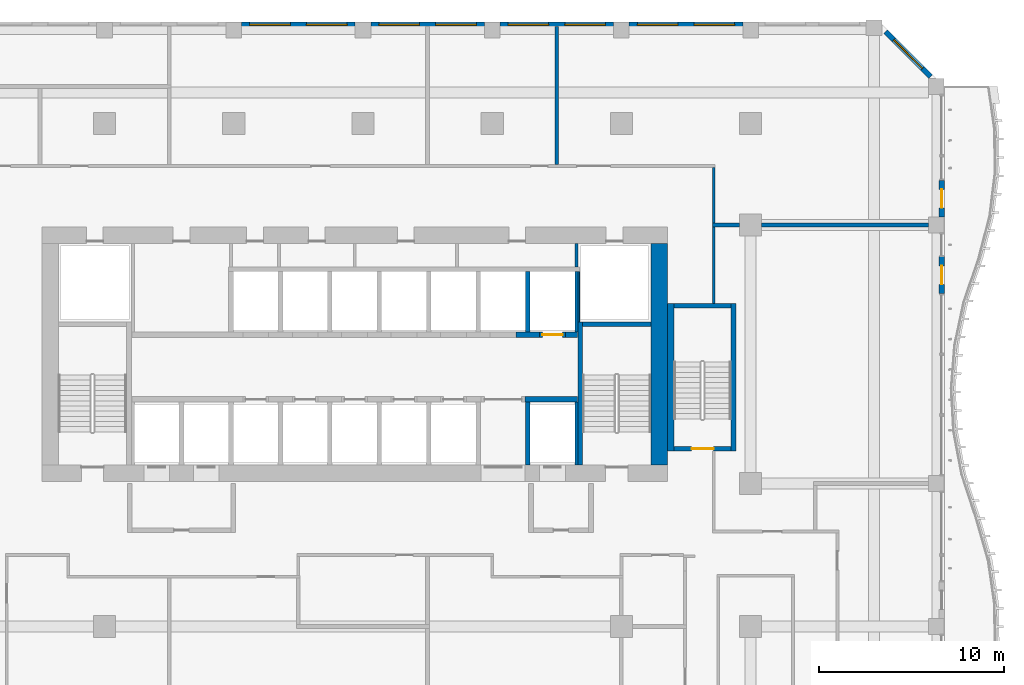
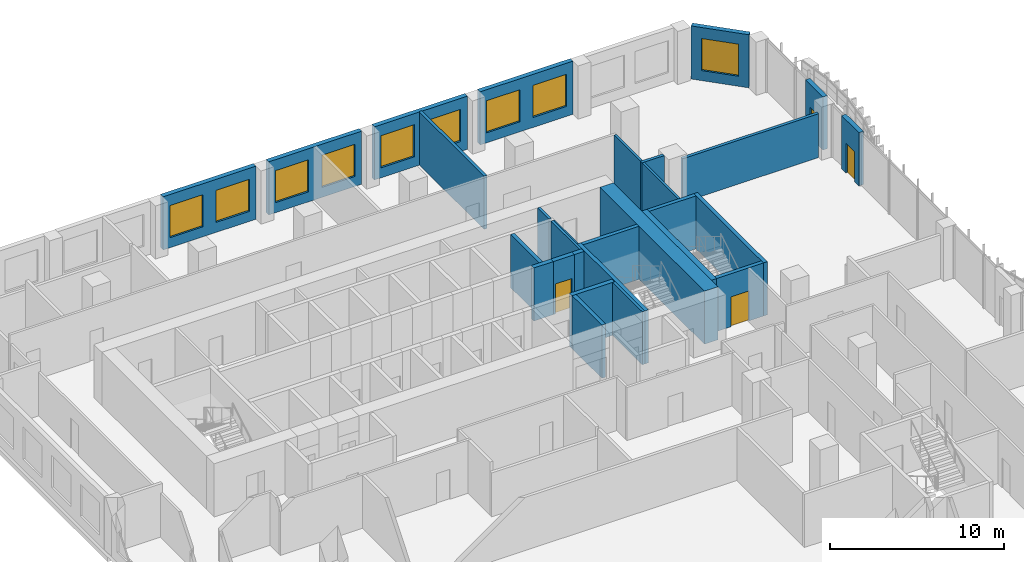
# One storey, part 17 of 27: 29 walls, 9 windows, 4 doors, 13 openings.
"""IFC4 building model written with IfcOpenShell, lengths in metres."""

from ifc_helpers import new_model, si_unit, direction, frame, frame_2d, origin, place, context, subcontext, project, spatial, rectangle, extrude, source, transform, mapped, material, layer, layer_set, type_object, element, fill, save


model = new_model("IFC4")

# Units and contexts
model_context = context("Model", 3, precision=1e-05, world=origin(), true_north=direction((0.0, 1.0)))
body_context = subcontext(model_context, "Body", "Model", "MODEL_VIEW")
ifc_project = project(units=[si_unit("LENGTHUNIT", "METRE"), si_unit("AREAUNIT", "SQUARE_METRE"), si_unit("VOLUMEUNIT", "CUBIC_METRE"), si_unit("PLANEANGLEUNIT", "RADIAN"), si_unit("MASSUNIT", "GRAM", prefix="KILO")], contexts=[model_context])

# Site, building, storey
site_placement = place(None, origin())
site = spatial("IfcSite", under=ifc_project, at=site_placement, CompositionType="ELEMENT")
building_placement = place(site_placement, origin())
building = spatial("IfcBuilding", under=site, at=building_placement, Name="Kilnfold Tower and Market Hall", CompositionType="ELEMENT")
storey_placement = place(building_placement, frame((0.0, 0.0, 116.60009765625)))
storey = spatial("IfcBuildingStorey", under=building, at=storey_placement, Name="L27", CompositionType="ELEMENT", Elevation=116.60009765625)

# Walls
ifc_material_1 = material(Name="Gypsum board on steel studs", Category="steel")
ifc_layer_1 = layer(ifc_material_1, 0.14990234375)
ifc_layer_set_1 = layer_set([ifc_layer_1], Name="Gypsum board on steel studs")
wall_type_1 = type_object("IfcWallType", Name="WALL CORRIDOR 150", PredefinedType="PARTITIONING", material=ifc_layer_set_1)
wall_1_placement = place(storey_placement, frame((20.5, 17.75, 0.0), z_axis=(0.0, 0.0, 1.0), x_axis=(0.0, 1.0, 0.0)))
element("IfcWall", 1, at=wall_1_placement, inside=storey, type_object=wall_type_1, Name="Partition LY17.31", PredefinedType="PARTITIONING", context=body_context, shape_type="SweptSolid", body=[
    extrude(rectangle(XDim=4.159912109375, YDim=0.14990234375, at=frame_2d((2.080078125, 0.0))), origin(), (0.0, 0.0, 1.0), 3.719970703125),
])
wall_2_placement = place(storey_placement, frame((20.5, 22.090087890625, 0.0), z_axis=(0.0, 0.0, 1.0), x_axis=(0.0, 1.0, 0.0)))
element("IfcWall", 2, at=wall_2_placement, inside=storey, type_object=wall_type_1, Name="Partition LY17.34", PredefinedType="PARTITIONING", context=body_context, shape_type="SweptSolid", body=[
    extrude(rectangle(XDim=3.034912109375, YDim=0.14990234375, at=frame_2d((1.517578125, 0.0))), origin(), (0.0, 0.0, 1.0), 3.719970703125),
])
ifc_material_2 = material(Name="Gypsum board on steel studs", Category="steel")
ifc_layer_2 = layer(ifc_material_2, 0.199951171875)
ifc_layer_set_2 = layer_set([ifc_layer_2], Name="Gypsum board on steel studs")
wall_type_2 = type_object("IfcWallType", Name="WALL PARTY 200", PredefinedType="PARTITIONING", material=ifc_layer_set_2)
wall_3_placement = place(storey_placement, frame((20.426025390625, 22.0, 0.0), z_axis=(0.0, 0.0, 1.0), x_axis=(1.0, 0.0, 0.0)))
element("IfcWall", 3, at=wall_3_placement, inside=storey, type_object=wall_type_2, Name="Partition LY17.66", PredefinedType="PARTITIONING", context=body_context, shape_type="SweptSolid", body=[
    extrude(rectangle(XDim=1.473876953125, YDim=0.199951171875, at=frame_2d((0.73681640625, 0.0))), origin(), (0.0, 0.0, 1.0), 3.719970703125),
])
wall_4_placement = place(storey_placement, frame((23.10009765625, 22.0, 0.0), z_axis=(0.0, 0.0, 1.0), x_axis=(1.0, 0.0, 0.0)))
element("IfcWall", 4, at=wall_4_placement, inside=storey, type_object=wall_type_2, Name="Partition LY17.67", PredefinedType="PARTITIONING", context=body_context, shape_type="SweptSolid", body=[
    extrude(rectangle(XDim=9.02490234375, YDim=0.199951171875, at=frame_2d((4.512451171875, 0.0))), origin(), (0.0, 0.0, 1.0), 3.06982421875),
])
wall_5_placement = place(storey_placement, frame((12.0, 25.27587890625, 0.0), z_axis=(0.0, 0.0, 1.0), x_axis=(0.0, 1.0, 0.0)))
element("IfcWall", 5, at=wall_5_placement, inside=storey, type_object=wall_type_2, Name="Partition LY17.68", PredefinedType="PARTITIONING", context=body_context, shape_type="SweptSolid", body=[
    extrude(rectangle(XDim=7.47412109375, YDim=0.199951171875, at=frame_2d((3.737060546875, 0.0))), origin(), (0.0, 0.0, 1.0), 3.719970703125),
])
ifc_material_3 = material(Name="Concrete C70", Category="concrete")
ifc_layer_3 = layer(ifc_material_3, 0.25)
ifc_layer_set_3 = layer_set([ifc_layer_3], Name="Concrete C70")
wall_type_3 = type_object("IfcWallType", Name="CORE WALL 250 C70", PredefinedType="SHEAR", material=ifc_layer_set_3)
shared_shape_1 = source(origin(), body_context, "Body", "SweptSolid", [
    extrude(rectangle(XDim=7.75, YDim=0.25, at=frame_2d((3.875, 0.0))), origin(), (0.0, 0.0, 1.0), 3.719970703125),
])
wall_6_placement = place(storey_placement, frame((13.27490234375, 9.0, 0.0), z_axis=(0.0, 0.0, 1.0), x_axis=(0.0, 1.0, 0.0)))
element("IfcWall", 6, at=wall_6_placement, inside=storey, type_object=wall_type_3, Name="Stair enclosure ST2", PredefinedType="SHEAR", context=body_context, shape_type="MappedRepresentation", body=[
    mapped(shared_shape_1, transform((0.0, 0.0, 0.0))),
])
shared_shape_2 = source(origin(), body_context, "Body", "SweptSolid", [
    extrude(rectangle(XDim=3.7001953125, YDim=0.25, at=frame_2d((1.85009765625, 0.0))), origin(), (0.0, 0.0, 1.0), 3.719970703125),
])
wall_7_placement = place(storey_placement, frame((13.39990234375, 16.625, 0.0), z_axis=(0.0, 0.0, 1.0), x_axis=(1.0, 0.0, 0.0)))
element("IfcWall", 7, at=wall_7_placement, inside=storey, type_object=wall_type_3, Name="Stair enclosure ST2", PredefinedType="SHEAR", context=body_context, shape_type="MappedRepresentation", body=[
    mapped(shared_shape_2, transform((0.0, 0.0, 0.0))),
])
shared_shape_3 = source(origin(), body_context, "Body", "SweptSolid", [
    extrude(rectangle(XDim=8.0, YDim=0.25, at=frame_2d((4.0, 0.0))), origin(), (0.0, 0.0, 1.0), 3.719970703125),
])
wall_8_placement = place(storey_placement, frame((21.574951171875, 9.75, 0.0), z_axis=(0.0, 0.0, 1.0), x_axis=(0.0, 1.0, 0.0)))
element("IfcWall", 8, at=wall_8_placement, inside=storey, type_object=wall_type_3, Name="Stair enclosure ST5", PredefinedType="SHEAR", context=body_context, shape_type="MappedRepresentation", body=[
    mapped(shared_shape_3, transform((0.0, 0.0, 0.0))),
])

# Wall, opening, door
shared_shape_4 = source(origin(), body_context, "Body", "SweptSolid", [
    extrude(rectangle(XDim=3.099853515625, YDim=0.25, at=frame_2d((1.5498046875, 0.0))), origin(), (0.0, 0.0, 1.0), 3.719970703125),
])
wall_9_placement = place(storey_placement, frame((18.35009765625, 9.875, 0.0), z_axis=(0.0, 0.0, 1.0), x_axis=(1.0, 0.0, 0.0)))
wall_9 = element("IfcWall", 9, at=wall_9_placement, inside=storey, type_object=wall_type_3, Name="Stair enclosure ST5", PredefinedType="SHEAR", context=body_context, shape_type="MappedRepresentation", body=[
    mapped(shared_shape_4, transform((0.0, 0.0, 0.0))),
])
opening_1_placement = place(wall_9_placement, frame((0.949951171875, 0.0, 0.0)))
opening_1 = element("IfcOpeningElement", 10, at=opening_1_placement, cuts=wall_9, Name="Opening SD1", PredefinedType="OPENING", context=body_context, shape_type="SweptSolid", body=[
    extrude(rectangle(XDim=1.199951171875, YDim=2.10009765625, at=frame_2d((0.60009765625, 1.050048828125))), frame((0.0, 0.135009765625, 0.0), z_axis=(0.0, -1.0, 0.0), x_axis=(1.0, 0.0, 0.0)), (0.0, 0.0, 1.0), 0.27001953125),
])
ifc_material_4 = material(Name="Steel door set with fire-resisting leaf", Category="steel")
door_type_1 = type_object("IfcDoorType", Name="STAIR FLOOR DOOR 1200X2100", OperationType="NOTDEFINED", PredefinedType="DOOR", material=ifc_material_4)
door_1_placement = place(opening_1_placement, origin())
door_1 = element("IfcDoor", 11, at=door_1_placement, inside=storey, type_object=door_type_1, Name="Exit stair ST5 door", OperationType="DOUBLE_DOOR_SINGLE_SWING", OverallHeight=2.10009765625, OverallWidth=1.199951171875, PredefinedType="DOOR", context=body_context, shape_type="SweptSolid", body=[
    extrude(rectangle(XDim=1.199951171875, YDim=2.10009765625, at=frame_2d((0.60009765625, 1.050048828125))), frame((0.0, 0.02490234375, 0.0), z_axis=(0.0, -1.0, 0.0), x_axis=(1.0, 0.0, 0.0)), (0.0, 0.0, 1.0), 0.050048828125),
])
fill(opening_1, door_1)

# Walls
wall_10_placement = place(storey_placement, frame((18.35009765625, 17.625, 0.0), z_axis=(0.0, 0.0, 1.0), x_axis=(1.0, 0.0, 0.0)))
element("IfcWall", 12, at=wall_10_placement, inside=storey, type_object=wall_type_3, Name="Stair enclosure ST5", PredefinedType="SHEAR", context=body_context, shape_type="MappedRepresentation", body=[
    mapped(shared_shape_4, transform((0.0, 0.0, 0.0))),
])
ifc_material_5 = material(Name="Concrete C70", Category="concrete")
ifc_layer_4 = layer(ifc_material_5, 0.300048828125)
ifc_layer_set_4 = layer_set([ifc_layer_4], Name="Concrete C70")
wall_type_4 = type_object("IfcWallType", Name="CORE WALL 300 C70", PredefinedType="SHEAR", material=ifc_layer_set_4)
shared_shape_5 = source(origin(), body_context, "Body", "SweptSolid", [
    extrude(rectangle(XDim=1.280029296875, YDim=0.300048828125, at=frame_2d((0.64013671875, 0.0))), origin(), (0.0, 0.0, 1.0), 3.719970703125),
])
wall_11_placement = place(storey_placement, frame((9.7900390625, 16.050048828125, 0.0), z_axis=(0.0, 0.0, 1.0), x_axis=(1.0, 0.0, 0.0)))
element("IfcWall", 13, at=wall_11_placement, inside=storey, type_object=wall_type_4, Name="Core spine wall", PredefinedType="SHEAR", context=body_context, shape_type="MappedRepresentation", body=[
    mapped(shared_shape_5, transform((0.0, 0.0, 0.0))),
])
shared_shape_6 = source(origin(), body_context, "Body", "SweptSolid", [
    extrude(rectangle(XDim=2.820068359375, YDim=0.300048828125, at=frame_2d((1.41015625, 0.0))), origin(), (0.0, 0.0, 1.0), 3.719970703125),
])
wall_12_placement = place(storey_placement, frame((10.2900390625, 12.550048828125, 0.0), z_axis=(0.0, 0.0, 1.0), x_axis=(1.0, 0.0, 0.0)))
element("IfcWall", 14, at=wall_12_placement, inside=storey, type_object=wall_type_4, Name="Core spine wall", PredefinedType="SHEAR", context=body_context, shape_type="MappedRepresentation", body=[
    mapped(shared_shape_6, transform((0.0, 0.0, 0.0))),
])
shared_shape_7 = source(origin(), body_context, "Body", "SweptSolid", [
    extrude(rectangle(XDim=0.64013671875, YDim=0.300048828125, at=frame_2d((0.320068359375, 0.0))), origin(), (0.0, 0.0, 1.0), 3.719970703125),
])
wall_13_placement = place(storey_placement, frame((12.469970703125, 16.050048828125, 0.0), z_axis=(0.0, 0.0, 1.0), x_axis=(1.0, 0.0, 0.0)))
element("IfcWall", 15, at=wall_13_placement, inside=storey, type_object=wall_type_4, Name="Core spine wall", PredefinedType="SHEAR", context=body_context, shape_type="MappedRepresentation", body=[
    mapped(shared_shape_7, transform((0.0, 0.0, 0.0))),
])
ifc_material_6 = material(Name="Concrete C70", Category="concrete")
ifc_layer_5 = layer(ifc_material_6, 0.89990234375)
ifc_layer_set_5 = layer_set([ifc_layer_5], Name="Concrete C70")
wall_type_5 = type_object("IfcWallType", Name="CORE WALL 900 C70", PredefinedType="SHEAR", material=ifc_layer_set_5)
shared_shape_8 = source(origin(), body_context, "Body", "SweptSolid", [
    extrude(rectangle(XDim=12.0, YDim=0.89990234375, at=frame_2d((6.0, 0.0))), origin(), (0.0, 0.0, 1.0), 3.719970703125),
])
wall_14_placement = place(storey_placement, frame((17.550048828125, 9.0, 0.0), z_axis=(0.0, 0.0, 1.0), x_axis=(0.0, 1.0, 0.0)))
element("IfcWall", 16, at=wall_14_placement, inside=storey, type_object=wall_type_5, Name="Core outer wall east", PredefinedType="SHEAR", context=body_context, shape_type="MappedRepresentation", body=[
    mapped(shared_shape_8, transform((0.0, 0.0, 0.0))),
])
ifc_material_7 = material(Name="Concrete C70", Category="concrete")
ifc_layer_6 = layer(ifc_material_7, 0.35009765625)
ifc_layer_set_6 = layer_set([ifc_layer_6], Name="Concrete C70")
wall_type_6 = type_object("IfcWallType", Name="CORE WALL 350 C70", PredefinedType="SHEAR", material=ifc_layer_set_6)
shared_shape_9 = source(origin(), body_context, "Body", "SweptSolid", [
    extrude(rectangle(XDim=8.0, YDim=0.35009765625, at=frame_2d((4.0, 0.0))), origin(), (0.0, 0.0, 1.0), 3.719970703125),
])
wall_15_placement = place(storey_placement, frame((18.175048828125, 9.75, 0.0), z_axis=(0.0, 0.0, 1.0), x_axis=(0.0, 1.0, 0.0)))
element("IfcWall", 17, at=wall_15_placement, inside=storey, type_object=wall_type_6, Name="Stair enclosure ST5", PredefinedType="SHEAR", context=body_context, shape_type="MappedRepresentation", body=[
    mapped(shared_shape_9, transform((0.0, 0.0, 0.0))),
])

# Wall, opening, door
ifc_material_8 = material(Name="Precast concrete C50/60", Category="concrete")
ifc_layer_7 = layer(ifc_material_8, 0.300048828125)
ifc_layer_set_7 = layer_set([ifc_layer_7], Name="Precast concrete C50/60")
wall_type_7 = type_object("IfcWallType", Name="PRECAST WALL 300", PredefinedType="SOLIDWALL", material=ifc_layer_set_7)
shared_shape_10 = source(origin(), body_context, "Body", "SweptSolid", [
    extrude(rectangle(XDim=2.0, YDim=0.300048828125, at=frame_2d((1.0, 0.0))), origin(), (0.0, 0.0, 1.0), 3.719970703125),
])
wall_16_placement = place(storey_placement, frame((32.85009765625, 18.28759765625, 0.0), z_axis=(0.0, 0.0, 1.0), x_axis=(0.0, 1.0, 0.0)))
wall_16 = element("IfcWall", 18, at=wall_16_placement, inside=storey, type_object=wall_type_7, Name="External wall L27 E", PredefinedType="SOLIDWALL", context=body_context, shape_type="MappedRepresentation", body=[
    mapped(shared_shape_10, transform((0.0, 0.0, 0.0))),
])
opening_2_placement = place(wall_16_placement, frame((0.5, 0.0, 0.0)))
opening_2 = element("IfcOpeningElement", 19, at=opening_2_placement, cuts=wall_16, Name="Opening BD1", PredefinedType="OPENING", context=body_context, shape_type="SweptSolid", body=[
    extrude(rectangle(XDim=1.0, YDim=2.10009765625, at=frame_2d((0.5, 1.050048828125))), frame((0.0, 0.16015625, 0.0), z_axis=(0.0, -1.0, 0.0), x_axis=(1.0, 0.0, 0.0)), (0.0, 0.0, 1.0), 0.320068359375),
])
ifc_material_9 = material(Name="Aluminium frame and double glazing", Category="aluminium")
door_type_2 = type_object("IfcDoorType", Name="BALCONY DOOR 1000X2100", OperationType="NOTDEFINED", PredefinedType="DOOR", material=ifc_material_9)
door_2_placement = place(opening_2_placement, origin())
door_2 = element("IfcDoor", 20, at=door_2_placement, inside=storey, type_object=door_type_2, Name="Balcony door BD1 L27 E-4", OperationType="SINGLE_SWING_RIGHT", OverallHeight=2.10009765625, OverallWidth=1.0, PredefinedType="DOOR", context=body_context, shape_type="SweptSolid", body=[
    extrude(rectangle(XDim=1.0, YDim=2.10009765625, at=frame_2d((0.5, 1.050048828125))), frame((0.0, 0.02490234375, 0.0), z_axis=(0.0, -1.0, 0.0), x_axis=(1.0, 0.0, 0.0)), (0.0, 0.0, 1.0), 0.050048828125),
])
fill(opening_2, door_2)

wall_17_placement = place(storey_placement, frame((32.85009765625, 22.425048828125, 0.0), z_axis=(0.0, 0.0, 1.0), x_axis=(0.0, 1.0, 0.0)))
wall_17 = element("IfcWall", 21, at=wall_17_placement, inside=storey, type_object=wall_type_7, Name="External wall L27 E", PredefinedType="SOLIDWALL", context=body_context, shape_type="MappedRepresentation", body=[
    mapped(shared_shape_10, transform((0.0, 0.0, 0.0))),
])
opening_3_placement = place(wall_17_placement, frame((0.5, 0.0, 0.0)))
opening_3 = element("IfcOpeningElement", 22, at=opening_3_placement, cuts=wall_17, Name="Opening BD1", PredefinedType="OPENING", context=body_context, shape_type="SweptSolid", body=[
    extrude(rectangle(XDim=1.0, YDim=2.10009765625, at=frame_2d((0.5, 1.050048828125))), frame((0.0, 0.16015625, 0.0), z_axis=(0.0, -1.0, 0.0), x_axis=(1.0, 0.0, 0.0)), (0.0, 0.0, 1.0), 0.320068359375),
])
door_3_placement = place(opening_3_placement, origin())
door_3 = element("IfcDoor", 23, at=door_3_placement, inside=storey, type_object=door_type_2, Name="Balcony door BD1 L27 E-1", OperationType="SINGLE_SWING_LEFT", OverallHeight=2.10009765625, OverallWidth=1.0, PredefinedType="DOOR", context=body_context, shape_type="SweptSolid", body=[
    extrude(rectangle(XDim=1.0, YDim=2.10009765625, at=frame_2d((0.5, 1.050048828125))), frame((0.0, 0.02490234375, 0.0), z_axis=(0.0, -1.0, 0.0), x_axis=(1.0, 0.0, 0.0)), (0.0, 0.0, 1.0), 0.050048828125),
])
fill(opening_3, door_3)

# Wall, opening, window
shared_shape_11 = source(origin(), body_context, "Body", "SweptSolid", [
    extrude(rectangle(XDim=3.429443359375, YDim=0.300048828125, at=frame_2d((1.71484375, 0.0))), origin(), (0.0, 0.0, 1.0), 3.719970703125),
])
wall_18_placement = place(storey_placement, frame((32.243896484375, 30.0439453125, 0.0), z_axis=(0.0, 0.0, 1.0), x_axis=(-0.707106781187, 0.707106781187, 0.0)))
wall_18 = element("IfcWall", 24, at=wall_18_placement, inside=storey, type_object=wall_type_7, Name="External wall L27 NE", PredefinedType="SOLIDWALL", context=body_context, shape_type="MappedRepresentation", body=[
    mapped(shared_shape_11, transform((0.0, 0.0, 0.0))),
])
opening_4_placement = place(wall_18_placement, frame((0.61474609375, 0.0, 0.699951171875)))
opening_4 = element("IfcOpeningElement", 25, at=opening_4_placement, cuts=wall_18, Name="Opening W1", PredefinedType="OPENING", context=body_context, shape_type="SweptSolid", body=[
    extrude(rectangle(XDim=2.199951171875, YDim=2.25, at=frame_2d((1.10009765625, 1.125))), frame((0.0, 0.16015625, 0.0), z_axis=(0.0, -1.0, 0.0), x_axis=(1.0, 0.0, 0.0)), (0.0, 0.0, 1.0), 0.320068359375),
])
ifc_material_10 = material(Name="Aluminium frame and double glazing", Category="aluminium")
window_type = type_object("IfcWindowType", Name="WINDOW W1 2200X2250", PartitioningType="SINGLE_PANEL", PredefinedType="WINDOW", material=ifc_material_10)
window_1_placement = place(opening_4_placement, origin())
window_1 = element("IfcWindow", 26, at=window_1_placement, inside=storey, type_object=window_type, Name="Window W1 L27 NE-1", OverallHeight=2.25, OverallWidth=2.199951171875, PartitioningType="SINGLE_PANEL", PredefinedType="WINDOW", context=body_context, shape_type="SweptSolid", body=[
    extrude(rectangle(XDim=2.199951171875, YDim=2.25, at=frame_2d((1.10009765625, 1.125))), frame((0.0, 0.030029296875, 0.0), z_axis=(0.0, -1.0, 0.0), x_axis=(1.0, 0.0, 0.0)), (0.0, 0.0, 1.0), 0.06005859375),
])
fill(opening_4, window_1)

# Wall, openings, windows
shared_shape_12 = source(origin(), body_context, "Body", "SweptSolid", [
    extrude(rectangle(XDim=6.14990234375, YDim=0.300048828125, at=frame_2d((3.074951171875, 0.0))), origin(), (0.0, 0.0, 1.0), 3.719970703125),
])
wall_19_placement = place(storey_placement, frame((22.074951171875, 32.85009765625, 0.0), z_axis=(0.0, 0.0, 1.0), x_axis=(-1.0, 0.0, 0.0)))
wall_19 = element("IfcWall", 27, at=wall_19_placement, inside=storey, type_object=wall_type_7, Name="External wall L27 N", PredefinedType="SOLIDWALL", context=body_context, shape_type="MappedRepresentation", body=[
    mapped(shared_shape_12, transform((0.0, 0.0, 0.0))),
])
opening_5_placement = place(wall_19_placement, frame((0.4375, 0.0, 0.699951171875)))
opening_5 = element("IfcOpeningElement", 28, at=opening_5_placement, cuts=wall_19, Name="Opening W1", PredefinedType="OPENING", context=body_context, shape_type="SweptSolid", body=[
    extrude(rectangle(XDim=2.199951171875, YDim=2.25, at=frame_2d((1.10009765625, 1.125))), frame((0.0, 0.16015625, 0.0), z_axis=(0.0, -1.0, 0.0), x_axis=(1.0, 0.0, 0.0)), (0.0, 0.0, 1.0), 0.320068359375),
])
opening_6_placement = place(wall_19_placement, frame((3.512451171875, 0.0, 0.699951171875)))
opening_6 = element("IfcOpeningElement", 29, at=opening_6_placement, cuts=wall_19, Name="Opening W1", PredefinedType="OPENING", context=body_context, shape_type="SweptSolid", body=[
    extrude(rectangle(XDim=2.199951171875, YDim=2.25, at=frame_2d((1.10009765625, 1.125))), frame((0.0, 0.16015625, 0.0), z_axis=(0.0, -1.0, 0.0), x_axis=(1.0, 0.0, 0.0)), (0.0, 0.0, 1.0), 0.320068359375),
])
window_2_placement = place(opening_5_placement, origin())
window_2 = element("IfcWindow", 30, at=window_2_placement, inside=storey, type_object=window_type, Name="Window W1 L27 N-1", OverallHeight=2.25, OverallWidth=2.199951171875, PartitioningType="SINGLE_PANEL", PredefinedType="WINDOW", context=body_context, shape_type="SweptSolid", body=[
    extrude(rectangle(XDim=2.199951171875, YDim=2.25, at=frame_2d((1.10009765625, 1.125))), frame((0.0, 0.030029296875, 0.0), z_axis=(0.0, -1.0, 0.0), x_axis=(1.0, 0.0, 0.0)), (0.0, 0.0, 1.0), 0.06005859375),
])
fill(opening_5, window_2)
window_3_placement = place(opening_6_placement, origin())
window_3 = element("IfcWindow", 31, at=window_3_placement, inside=storey, type_object=window_type, Name="Window W1 L27 N-2", OverallHeight=2.25, OverallWidth=2.199951171875, PartitioningType="SINGLE_PANEL", PredefinedType="WINDOW", context=body_context, shape_type="SweptSolid", body=[
    extrude(rectangle(XDim=2.199951171875, YDim=2.25, at=frame_2d((1.10009765625, 1.125))), frame((0.0, 0.030029296875, 0.0), z_axis=(0.0, -1.0, 0.0), x_axis=(1.0, 0.0, 0.0)), (0.0, 0.0, 1.0), 0.06005859375),
])
fill(opening_6, window_3)

wall_20_placement = place(storey_placement, frame((15.074951171875, 32.85009765625, 0.0), z_axis=(0.0, 0.0, 1.0), x_axis=(-1.0, 0.0, 0.0)))
wall_20 = element("IfcWall", 32, at=wall_20_placement, inside=storey, type_object=wall_type_7, Name="External wall L27 N", PredefinedType="SOLIDWALL", context=body_context, shape_type="MappedRepresentation", body=[
    mapped(shared_shape_12, transform((0.0, 0.0, 0.0))),
])
opening_7_placement = place(wall_20_placement, frame((0.4375, 0.0, 0.699951171875)))
opening_7 = element("IfcOpeningElement", 33, at=opening_7_placement, cuts=wall_20, Name="Opening W1", PredefinedType="OPENING", context=body_context, shape_type="SweptSolid", body=[
    extrude(rectangle(XDim=2.199951171875, YDim=2.25, at=frame_2d((1.10009765625, 1.125))), frame((0.0, 0.16015625, 0.0), z_axis=(0.0, -1.0, 0.0), x_axis=(1.0, 0.0, 0.0)), (0.0, 0.0, 1.0), 0.320068359375),
])
opening_8_placement = place(wall_20_placement, frame((3.512451171875, 0.0, 0.699951171875)))
opening_8 = element("IfcOpeningElement", 34, at=opening_8_placement, cuts=wall_20, Name="Opening W1", PredefinedType="OPENING", context=body_context, shape_type="SweptSolid", body=[
    extrude(rectangle(XDim=2.199951171875, YDim=2.25, at=frame_2d((1.10009765625, 1.125))), frame((0.0, 0.16015625, 0.0), z_axis=(0.0, -1.0, 0.0), x_axis=(1.0, 0.0, 0.0)), (0.0, 0.0, 1.0), 0.320068359375),
])
window_4_placement = place(opening_7_placement, origin())
window_4 = element("IfcWindow", 35, at=window_4_placement, inside=storey, type_object=window_type, Name="Window W1 L27 N-1", OverallHeight=2.25, OverallWidth=2.199951171875, PartitioningType="SINGLE_PANEL", PredefinedType="WINDOW", context=body_context, shape_type="SweptSolid", body=[
    extrude(rectangle(XDim=2.199951171875, YDim=2.25, at=frame_2d((1.10009765625, 1.125))), frame((0.0, 0.030029296875, 0.0), z_axis=(0.0, -1.0, 0.0), x_axis=(1.0, 0.0, 0.0)), (0.0, 0.0, 1.0), 0.06005859375),
])
fill(opening_7, window_4)
window_5_placement = place(opening_8_placement, origin())
window_5 = element("IfcWindow", 36, at=window_5_placement, inside=storey, type_object=window_type, Name="Window W1 L27 N-2", OverallHeight=2.25, OverallWidth=2.199951171875, PartitioningType="SINGLE_PANEL", PredefinedType="WINDOW", context=body_context, shape_type="SweptSolid", body=[
    extrude(rectangle(XDim=2.199951171875, YDim=2.25, at=frame_2d((1.10009765625, 1.125))), frame((0.0, 0.030029296875, 0.0), z_axis=(0.0, -1.0, 0.0), x_axis=(1.0, 0.0, 0.0)), (0.0, 0.0, 1.0), 0.06005859375),
])
fill(opening_8, window_5)

wall_21_placement = place(storey_placement, frame((8.074951171875, 32.85009765625, 0.0), z_axis=(0.0, 0.0, 1.0), x_axis=(-1.0, 0.0, 0.0)))
wall_21 = element("IfcWall", 37, at=wall_21_placement, inside=storey, type_object=wall_type_7, Name="External wall L27 N", PredefinedType="SOLIDWALL", context=body_context, shape_type="MappedRepresentation", body=[
    mapped(shared_shape_12, transform((0.0, 0.0, 0.0))),
])
opening_9_placement = place(wall_21_placement, frame((0.4375, 0.0, 0.699951171875)))
opening_9 = element("IfcOpeningElement", 38, at=opening_9_placement, cuts=wall_21, Name="Opening W1", PredefinedType="OPENING", context=body_context, shape_type="SweptSolid", body=[
    extrude(rectangle(XDim=2.199951171875, YDim=2.25, at=frame_2d((1.10009765625, 1.125))), frame((0.0, 0.16015625, 0.0), z_axis=(0.0, -1.0, 0.0), x_axis=(1.0, 0.0, 0.0)), (0.0, 0.0, 1.0), 0.320068359375),
])
opening_10_placement = place(wall_21_placement, frame((3.512451171875, 0.0, 0.699951171875)))
opening_10 = element("IfcOpeningElement", 39, at=opening_10_placement, cuts=wall_21, Name="Opening W1", PredefinedType="OPENING", context=body_context, shape_type="SweptSolid", body=[
    extrude(rectangle(XDim=2.199951171875, YDim=2.25, at=frame_2d((1.10009765625, 1.125))), frame((0.0, 0.16015625, 0.0), z_axis=(0.0, -1.0, 0.0), x_axis=(1.0, 0.0, 0.0)), (0.0, 0.0, 1.0), 0.320068359375),
])
window_6_placement = place(opening_9_placement, origin())
window_6 = element("IfcWindow", 40, at=window_6_placement, inside=storey, type_object=window_type, Name="Window W1 L27 N-1", OverallHeight=2.25, OverallWidth=2.199951171875, PartitioningType="SINGLE_PANEL", PredefinedType="WINDOW", context=body_context, shape_type="SweptSolid", body=[
    extrude(rectangle(XDim=2.199951171875, YDim=2.25, at=frame_2d((1.10009765625, 1.125))), frame((0.0, 0.030029296875, 0.0), z_axis=(0.0, -1.0, 0.0), x_axis=(1.0, 0.0, 0.0)), (0.0, 0.0, 1.0), 0.06005859375),
])
fill(opening_9, window_6)
window_7_placement = place(opening_10_placement, origin())
window_7 = element("IfcWindow", 41, at=window_7_placement, inside=storey, type_object=window_type, Name="Window W1 L27 N-2", OverallHeight=2.25, OverallWidth=2.199951171875, PartitioningType="SINGLE_PANEL", PredefinedType="WINDOW", context=body_context, shape_type="SweptSolid", body=[
    extrude(rectangle(XDim=2.199951171875, YDim=2.25, at=frame_2d((1.10009765625, 1.125))), frame((0.0, 0.030029296875, 0.0), z_axis=(0.0, -1.0, 0.0), x_axis=(1.0, 0.0, 0.0)), (0.0, 0.0, 1.0), 0.06005859375),
])
fill(opening_10, window_7)

wall_22_placement = place(storey_placement, frame((1.074951171875, 32.85009765625, 0.0), z_axis=(0.0, 0.0, 1.0), x_axis=(-1.0, 0.0, 0.0)))
wall_22 = element("IfcWall", 42, at=wall_22_placement, inside=storey, type_object=wall_type_7, Name="External wall L27 N", PredefinedType="SOLIDWALL", context=body_context, shape_type="MappedRepresentation", body=[
    mapped(shared_shape_12, transform((0.0, 0.0, 0.0))),
])
opening_11_placement = place(wall_22_placement, frame((0.4375, 0.0, 0.699951171875)))
opening_11 = element("IfcOpeningElement", 43, at=opening_11_placement, cuts=wall_22, Name="Opening W1", PredefinedType="OPENING", context=body_context, shape_type="SweptSolid", body=[
    extrude(rectangle(XDim=2.199951171875, YDim=2.25, at=frame_2d((1.10009765625, 1.125))), frame((0.0, 0.16015625, 0.0), z_axis=(0.0, -1.0, 0.0), x_axis=(1.0, 0.0, 0.0)), (0.0, 0.0, 1.0), 0.320068359375),
])
opening_12_placement = place(wall_22_placement, frame((3.512451171875, 0.0, 0.699951171875)))
opening_12 = element("IfcOpeningElement", 44, at=opening_12_placement, cuts=wall_22, Name="Opening W1", PredefinedType="OPENING", context=body_context, shape_type="SweptSolid", body=[
    extrude(rectangle(XDim=2.199951171875, YDim=2.25, at=frame_2d((1.10009765625, 1.125))), frame((0.0, 0.16015625, 0.0), z_axis=(0.0, -1.0, 0.0), x_axis=(1.0, 0.0, 0.0)), (0.0, 0.0, 1.0), 0.320068359375),
])
window_8_placement = place(opening_11_placement, origin())
window_8 = element("IfcWindow", 45, at=window_8_placement, inside=storey, type_object=window_type, Name="Window W1 L27 N-1", OverallHeight=2.25, OverallWidth=2.199951171875, PartitioningType="SINGLE_PANEL", PredefinedType="WINDOW", context=body_context, shape_type="SweptSolid", body=[
    extrude(rectangle(XDim=2.199951171875, YDim=2.25, at=frame_2d((1.10009765625, 1.125))), frame((0.0, 0.030029296875, 0.0), z_axis=(0.0, -1.0, 0.0), x_axis=(1.0, 0.0, 0.0)), (0.0, 0.0, 1.0), 0.06005859375),
])
fill(opening_11, window_8)
window_9_placement = place(opening_12_placement, origin())
window_9 = element("IfcWindow", 46, at=window_9_placement, inside=storey, type_object=window_type, Name="Window W1 L27 N-2", OverallHeight=2.25, OverallWidth=2.199951171875, PartitioningType="SINGLE_PANEL", PredefinedType="WINDOW", context=body_context, shape_type="SweptSolid", body=[
    extrude(rectangle(XDim=2.199951171875, YDim=2.25, at=frame_2d((1.10009765625, 1.125))), frame((0.0, 0.030029296875, 0.0), z_axis=(0.0, -1.0, 0.0), x_axis=(1.0, 0.0, 0.0)), (0.0, 0.0, 1.0), 0.06005859375),
])
fill(opening_12, window_9)

# Wall, opening, door
ifc_material_11 = material(Name="Gypsum shaft wall system")
ifc_layer_8 = layer(ifc_material_11, 0.300048828125)
ifc_layer_set_8 = layer_set([ifc_layer_8], Name="Gypsum shaft wall system")
wall_type_8 = type_object("IfcWallType", Name="SHAFT WALL 300", PredefinedType="PARTITIONING", material=ifc_layer_set_8)
shared_shape_13 = source(origin(), body_context, "Body", "SweptSolid", [
    extrude(rectangle(XDim=1.39990234375, YDim=0.300048828125, at=frame_2d((0.699951171875, 0.0))), origin(), (0.0, 0.0, 1.0), 3.719970703125),
])
wall_23_placement = place(storey_placement, frame((11.070068359375, 16.050048828125, 0.0), z_axis=(0.0, 0.0, 1.0), x_axis=(1.0, 0.0, 0.0)))
wall_23 = element("IfcWall", 47, at=wall_23_placement, inside=storey, type_object=wall_type_8, Name="Lift shaft front wall", PredefinedType="PARTITIONING", context=body_context, shape_type="MappedRepresentation", body=[
    mapped(shared_shape_13, transform((0.0, 0.0, 0.0))),
])
opening_13_placement = place(wall_23_placement, frame((0.14990234375, 0.0, 0.0)))
opening_13 = element("IfcOpeningElement", 48, at=opening_13_placement, cuts=wall_23, Name="Opening LD2", PredefinedType="OPENING", context=body_context, shape_type="SweptSolid", body=[
    extrude(rectangle(XDim=1.10009765625, YDim=2.10009765625, at=frame_2d((0.550048828125, 1.050048828125))), frame((0.0, 0.16015625, 0.0), z_axis=(0.0, -1.0, 0.0), x_axis=(1.0, 0.0, 0.0)), (0.0, 0.0, 1.0), 0.320068359375),
])
ifc_material_12 = material(Name="Steel door set with fire-resisting leaf", Category="steel")
door_type_3 = type_object("IfcDoorType", Name="LANDING DOOR 1100X2100", OperationType="NOTDEFINED", PredefinedType="DOOR", material=ifc_material_12)
door_4_placement = place(opening_13_placement, origin())
door_4 = element("IfcDoor", 49, at=door_4_placement, inside=storey, type_object=door_type_3, Name="Landing door LR6", OperationType="DOUBLE_DOOR_SLIDING", OverallHeight=2.10009765625, OverallWidth=1.10009765625, PredefinedType="DOOR", context=body_context, shape_type="SweptSolid", body=[
    extrude(rectangle(XDim=1.10009765625, YDim=2.10009765625, at=frame_2d((0.550048828125, 1.050048828125))), frame((0.0, 0.02490234375, 0.0), z_axis=(0.0, -1.0, 0.0), x_axis=(1.0, 0.0, 0.0)), (0.0, 0.0, 1.0), 0.050048828125),
])
fill(opening_13, door_4)

# Walls
ifc_material_13 = material(Name="Gypsum shaft wall system")
ifc_layer_9 = layer(ifc_material_13, 0.1650390625)
ifc_layer_set_9 = layer_set([ifc_layer_9], Name="Gypsum shaft wall system")
wall_type_9 = type_object("IfcWallType", Name="SHAFT WALL 165", PredefinedType="PARTITIONING", material=ifc_layer_set_9)
shared_shape_14 = source(origin(), body_context, "Body", "SweptSolid", [
    extrude(rectangle(XDim=3.275146484375, YDim=0.1650390625, at=frame_2d((1.6376953125, 0.0))), origin(), (0.0, 0.0, 1.0), 3.719970703125),
])
wall_24_placement = place(storey_placement, frame((13.0673828125, 16.199951171875, 0.0), z_axis=(0.0, 0.0, 1.0), x_axis=(0.0, 1.0, 0.0)))
element("IfcWall", 50, at=wall_24_placement, inside=storey, type_object=wall_type_9, Name="Lift shaft wall", PredefinedType="PARTITIONING", context=body_context, shape_type="MappedRepresentation", body=[
    mapped(shared_shape_14, transform((0.0, 0.0, 0.0))),
])
shared_shape_15 = source(origin(), body_context, "Body", "SweptSolid", [
    extrude(rectangle(XDim=1.27490234375, YDim=0.1650390625, at=frame_2d((0.637451171875, 0.0))), origin(), (0.0, 0.0, 1.0), 3.719970703125),
])
wall_25_placement = place(storey_placement, frame((13.0673828125, 19.72509765625, 0.0), z_axis=(0.0, 0.0, 1.0), x_axis=(0.0, 1.0, 0.0)))
element("IfcWall", 51, at=wall_25_placement, inside=storey, type_object=wall_type_9, Name="Lift shaft wall", PredefinedType="PARTITIONING", context=body_context, shape_type="MappedRepresentation", body=[
    mapped(shared_shape_15, transform((0.0, 0.0, 0.0))),
])
ifc_material_14 = material(Name="Gypsum shaft wall system")
ifc_layer_10 = layer(ifc_material_14, 0.25)
ifc_layer_set_10 = layer_set([ifc_layer_10], Name="Gypsum shaft wall system")
wall_type_10 = type_object("IfcWallType", Name="SHAFT WALL 250", PredefinedType="PARTITIONING", material=ifc_layer_set_10)
shared_shape_16 = source(origin(), body_context, "Body", "SweptSolid", [
    extrude(rectangle(XDim=3.275146484375, YDim=0.25, at=frame_2d((1.6376953125, 0.0))), origin(), (0.0, 0.0, 1.0), 3.719970703125),
])
wall_26_placement = place(storey_placement, frame((10.429931640625, 16.199951171875, 0.0), z_axis=(0.0, 0.0, 1.0), x_axis=(0.0, 1.0, 0.0)))
element("IfcWall", 52, at=wall_26_placement, inside=storey, type_object=wall_type_10, Name="Lift shaft wall", PredefinedType="PARTITIONING", context=body_context, shape_type="MappedRepresentation", body=[
    mapped(shared_shape_16, transform((0.0, 0.0, 0.0))),
])
ifc_material_15 = material(Name="Gypsum shaft wall system")
ifc_layer_11 = layer(ifc_material_15, 0.0849609375)
ifc_layer_set_11 = layer_set([ifc_layer_11], Name="Gypsum shaft wall system")
wall_type_11 = type_object("IfcWallType", Name="SHAFT WALL 85", PredefinedType="PARTITIONING", material=ifc_layer_set_11)
shared_shape_17 = source(origin(), body_context, "Body", "SweptSolid", [
    extrude(rectangle(XDim=2.72509765625, YDim=0.0849609375, at=frame_2d((1.362548828125, 0.0))), origin(), (0.0, 0.0, 1.0), 3.719970703125),
])
wall_27_placement = place(storey_placement, frame((13.1923828125, 16.75, 0.0), z_axis=(0.0, 0.0, 1.0), x_axis=(0.0, 1.0, 0.0)))
element("IfcWall", 53, at=wall_27_placement, inside=storey, type_object=wall_type_11, Name="Lift shaft wall", PredefinedType="PARTITIONING", context=body_context, shape_type="MappedRepresentation", body=[
    mapped(shared_shape_17, transform((0.0, 0.0, 0.0))),
])
shared_shape_18 = source(origin(), body_context, "Body", "SweptSolid", [
    extrude(rectangle(XDim=3.39990234375, YDim=0.25, at=frame_2d((1.699951171875, 0.0))), origin(), (0.0, 0.0, 1.0), 3.719970703125),
])
wall_28_placement = place(storey_placement, frame((10.429931640625, 9.0, 0.0), z_axis=(0.0, 0.0, 1.0), x_axis=(0.0, 1.0, 0.0)))
element("IfcWall", 54, at=wall_28_placement, inside=storey, type_object=wall_type_10, Name="Lift shaft wall", PredefinedType="PARTITIONING", context=body_context, shape_type="MappedRepresentation", body=[
    mapped(shared_shape_18, transform((0.0, 0.0, 0.0))),
])
shared_shape_19 = source(origin(), body_context, "Body", "SweptSolid", [
    extrude(rectangle(XDim=3.39990234375, YDim=0.1650390625, at=frame_2d((1.699951171875, 0.0))), origin(), (0.0, 0.0, 1.0), 3.719970703125),
])
wall_29_placement = place(storey_placement, frame((13.0673828125, 9.0, 0.0), z_axis=(0.0, 0.0, 1.0), x_axis=(0.0, 1.0, 0.0)))
element("IfcWall", 55, at=wall_29_placement, inside=storey, type_object=wall_type_9, Name="Lift shaft wall", PredefinedType="PARTITIONING", context=body_context, shape_type="MappedRepresentation", body=[
    mapped(shared_shape_19, transform((0.0, 0.0, 0.0))),
])

save(model, "model.ifc")
